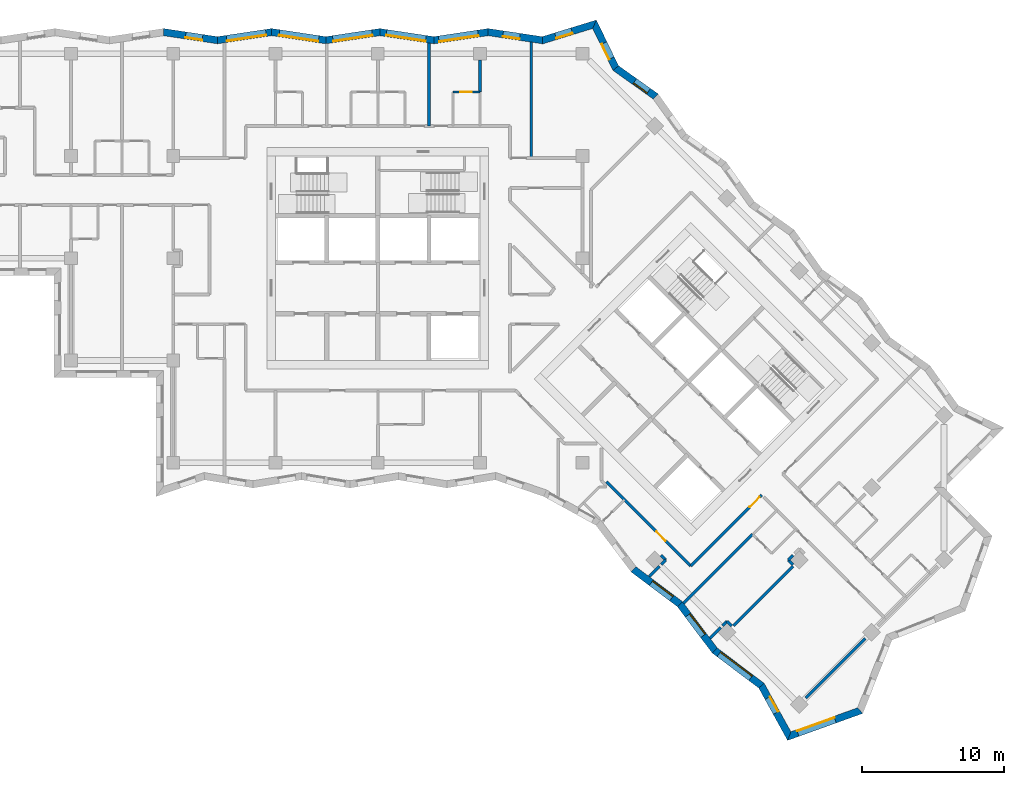
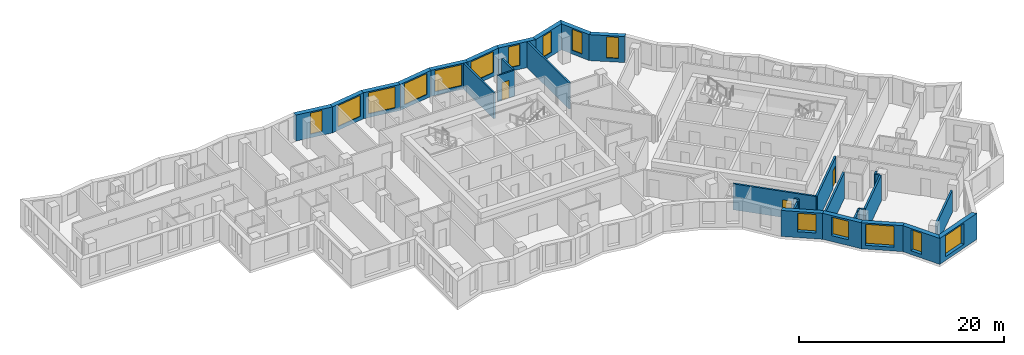
# One storey, part 7 of 12: 32 walls, 15 windows, 3 doors, 18 openings.
"""IFC4 building model written with IfcOpenShell, lengths in metres."""

import ifcopenshell
import ifcopenshell.guid

model = None  # the IFC model being written
_history = None  # IfcOwnerHistory: only IFC2X3 demands one
_inside = {}  # id of a spatial element -> (the spatial element, [elements in it])
_under = {}  # id of a project, library or spatial element -> (it, [spatial elements below it])
_declared = {}  # id of a project -> (the project, [libraries it declares])
_typed = {}  # id of a type object -> (the type object, [elements of that type])
_made_of = {}  # id of a material, layer set ... -> (it, [elements and type objects made of it])


def new_model(schema):
    """Start an empty IFC model of exactly this schema.

    Asked for "IFC4X3", IfcOpenShell would pick the latest addendum, in which some entities
    have other attributes; the version numbers below select the first issue.
    IFC2X3 requires an IfcOwnerHistory on every rooted entity: one is made here for all.
    """
    global model, _history
    if schema == "IFC4X3":
        model = ifcopenshell.file(schema_version=(4, 3, 0, 0))
    else:
        model = ifcopenshell.file(schema=schema)
    _inside.clear()
    _under.clear()
    _declared.clear()
    _typed.clear()
    _made_of.clear()
    _history = None
    if model.schema == "IFC2X3":
        org = make("IfcOrganization", Name="unknown")
        user = make(
            "IfcPersonAndOrganization",
            ThePerson=make("IfcPerson", FamilyName="unknown"),
            TheOrganization=org,
        )
        app = make(
            "IfcApplication",
            ApplicationDeveloper=org,
            Version="unknown",
            ApplicationFullName="unknown",
            ApplicationIdentifier="unknown",
        )
        _history = make(
            "IfcOwnerHistory",
            OwningUser=user,
            OwningApplication=app,
            ChangeAction="ADDED",
            CreationDate=0,
        )
    return model


def make(cls, **values):
    """One entity of the class cls with the attributes given. An attribute that is None is left unset."""
    return model.create_entity(
        cls, **{name: value for name, value in values.items() if value is not None}
    )


def rooted(cls, **values):
    """An entity with a GlobalId (a new one), such as an element, a storey or a relation."""
    return make(cls, GlobalId=ifcopenshell.guid.new(), OwnerHistory=_history, **values)


def si_unit(unit_type, name, prefix=None):
    """IfcSIUnit, for example si_unit("LENGTHUNIT", "METRE", prefix="MILLI")."""
    return make("IfcSIUnit", UnitType=unit_type, Prefix=prefix, Name=name)


def assignment(units):
    """IfcUnitAssignment: the units of a project."""
    return None if units is None else make("IfcUnitAssignment", Units=units)


def point(xyz):
    """IfcCartesianPoint."""
    return None if xyz is None else make("IfcCartesianPoint", Coordinates=xyz)


def direction(xyz):
    """IfcDirection."""
    return None if xyz is None else make("IfcDirection", DirectionRatios=xyz)


def frame(location, z_axis=None, x_axis=None):
    """IfcAxis2Placement3D, a coordinate frame: its origin and axes. An axis left out is left unset."""
    return make(
        "IfcAxis2Placement3D",
        Location=point(location),
        Axis=direction(z_axis),
        RefDirection=direction(x_axis),
    )


def frame_2d(location, x_axis=None):
    """IfcAxis2Placement2D, a coordinate frame in the plane: its origin and x axis."""
    return make(
        "IfcAxis2Placement2D", Location=point(location), RefDirection=direction(x_axis)
    )


def origin():
    """The frame at (0, 0, 0) with its axes left unset."""
    return frame((0.0, 0.0, 0.0))


def place(relative_to, where):
    """IfcLocalPlacement: puts the frame where relative to a parent placement (None: the world)."""
    return make(
        "IfcLocalPlacement", PlacementRelTo=relative_to, RelativePlacement=where
    )


def context(
    kind, dimensions, precision=None, world=None, true_north=None, identifier=None
):
    """IfcGeometricRepresentationContext, for example the 3D "Model" context."""
    return make(
        "IfcGeometricRepresentationContext",
        ContextIdentifier=identifier,
        ContextType=kind,
        CoordinateSpaceDimension=dimensions,
        Precision=precision,
        WorldCoordinateSystem=world,
        TrueNorth=true_north,
    )


def subcontext(parent, identifier, kind, view, scale=None):
    """IfcGeometricRepresentationSubContext, for example "Body" below "Model"."""
    return make(
        "IfcGeometricRepresentationSubContext",
        ContextIdentifier=identifier,
        ContextType=kind,
        ParentContext=parent,
        TargetScale=scale,
        TargetView=view,
    )


def project(units=None, contexts=None):
    """IfcProject with its units and contexts."""
    return rooted(
        "IfcProject",
        Name="project",
        RepresentationContexts=contexts,
        UnitsInContext=assignment(units),
    )


def spatial(cls, under=None, at=None, **own):
    """A site, building, storey or space (cls), placed at a placement, below another one or the project."""
    s = rooted(cls, ObjectPlacement=at, **own)
    if under is not None:
        _under.setdefault(under.id(), (under, []))[1].append(s)
    return s


def polyline(points):
    """IfcPolyline through the points."""
    return make("IfcPolyline", Points=[point(p) for p in points])


def profile(cls, at=None, kind="AREA", **sizes):
    """A parametric profile (cls). Its sizes go by their IFC names, for example OverallWidth=200.0."""
    return make(cls, ProfileType=kind, Position=at, **sizes)


def rectangle(**sizes):
    """IfcRectangleProfileDef."""
    return profile("IfcRectangleProfileDef", **sizes)


def outline(outer, holes=None, kind="AREA"):
    """IfcArbitraryClosedProfileDef: a profile drawn as a closed curve; with holes, ...WithVoids."""
    if holes is None:
        return make("IfcArbitraryClosedProfileDef", ProfileType=kind, OuterCurve=outer)
    return make(
        "IfcArbitraryProfileDefWithVoids",
        ProfileType=kind,
        OuterCurve=outer,
        InnerCurves=holes,
    )


def extrude(swept, where, along, depth):
    """IfcExtrudedAreaSolid: the profile swept, set in the frame where, extruded along a direction by depth."""
    return make(
        "IfcExtrudedAreaSolid",
        SweptArea=swept,
        Position=where,
        ExtrudedDirection=direction(along),
        Depth=depth,
    )


def shape(context_of_items, identifier, shape_type, items):
    """IfcShapeRepresentation: the items that make up one representation, for example the "Body"."""
    return make(
        "IfcShapeRepresentation",
        ContextOfItems=context_of_items,
        RepresentationIdentifier=identifier,
        RepresentationType=shape_type,
        Items=items,
    )


def material(Name=None, Category=None):
    """IfcMaterial."""
    return make("IfcMaterial", Name=Name, Category=Category)


def layer(
    of_material, thickness, ventilated=None, Name=None, Category=None, Priority=None
):
    """IfcMaterialLayer: one layer of a wall or slab, of a material (None: an air gap)."""
    return make(
        "IfcMaterialLayer",
        Material=of_material,
        LayerThickness=thickness,
        IsVentilated=ventilated,
        Name=Name,
        Category=Category,
        Priority=Priority,
    )


def layer_set(layers, Name=None):
    """IfcMaterialLayerSet."""
    return make("IfcMaterialLayerSet", MaterialLayers=layers, LayerSetName=Name)


def made_of(thing, what):
    """Note that an element or type object is made of a material, layer set ...; save() writes the relation."""
    if what is not None:
        _made_of.setdefault(what.id(), (what, []))[1].append(thing)
    return thing


def type_object(cls, material=None, **own):
    """A type object (cls), such as IfcWallType, which elements share."""
    return made_of(rooted(cls, **own), material)


def element(
    cls,
    number,
    at=None,
    inside=None,
    cuts=None,
    type_object=None,
    material=None,
    context=None,
    identifier="Body",
    shape_type=None,
    held_by="IfcProductDefinitionShape",
    body=None,
    shapes=None,
    **own,
):
    """One element of the class cls, such as IfcWall. Its Tag is "e" and its number.

    at: its placement. inside: the storey or other place that contains it. cuts: it is an
    opening in that element (IfcRelVoidsElement). A single representation is given by context,
    identifier, shape_type and body (its items); several are given by shapes. held_by: the class
    of the entity that holds the representations. save() writes the other relations.
    """
    e = rooted(cls, Tag="e%d" % number, ObjectPlacement=at, **own)
    if body is not None:
        shapes = [shape(context, identifier, shape_type, body)]
    if shapes is not None:
        e.Representation = make(held_by, Representations=shapes)
    if inside is not None:
        _inside.setdefault(inside.id(), (inside, []))[1].append(e)
    if cuts is not None:
        rooted(
            "IfcRelVoidsElement", RelatingBuildingElement=cuts, RelatedOpeningElement=e
        )
    if type_object is not None:
        _typed.setdefault(type_object.id(), (type_object, []))[1].append(e)
    return made_of(e, material)


def fill(opening, filler):
    """IfcRelFillsElement: the door or window that sits in an opening."""
    return rooted(
        "IfcRelFillsElement",
        RelatingOpeningElement=opening,
        RelatedBuildingElement=filler,
    )


def aggregate(whole, parts):
    """IfcRelAggregates: a whole, such as a stair, and the parts it consists of."""
    return rooted("IfcRelAggregates", RelatingObject=whole, RelatedObjects=parts)


def save(model, path):
    """Write the relations noted so far, then the file.

    IfcRelAggregates (storeys below a building ...), IfcRelContainedInSpatialStructure (elements
    in a storey), IfcRelDefinesByType, IfcRelAssociatesMaterial and IfcRelDeclares: one each for
    every whole, place, type object, material and project.
    """
    for whole, parts in _under.values():
        aggregate(whole, parts)
    for where, things in _inside.values():
        rooted(
            "IfcRelContainedInSpatialStructure",
            RelatedElements=things,
            RelatingStructure=where,
        )
    for kind, things in _typed.values():
        rooted("IfcRelDefinesByType", RelatedObjects=things, RelatingType=kind)
    for what, things in _made_of.values():
        rooted("IfcRelAssociatesMaterial", RelatedObjects=things, RelatingMaterial=what)
    for by, libraries in _declared.values():
        rooted("IfcRelDeclares", RelatingContext=by, RelatedDefinitions=libraries)
    model.write(path)


model = new_model("IFC4")

# Units and contexts
model_context = context("Model", 3, precision=1e-05, world=origin(), true_north=direction((0.0, 1.0)))
body_context = subcontext(model_context, "Body", "Model", "MODEL_VIEW")
ifc_project = project(units=[si_unit("LENGTHUNIT", "METRE"), si_unit("AREAUNIT", "SQUARE_METRE"), si_unit("VOLUMEUNIT", "CUBIC_METRE"), si_unit("PLANEANGLEUNIT", "RADIAN"), si_unit("MASSUNIT", "GRAM", prefix="KILO")], contexts=[model_context])

# Site, building, storey
site_placement = place(None, origin())
site = spatial("IfcSite", under=ifc_project, at=site_placement, CompositionType="ELEMENT")
building_placement = place(site_placement, origin())
building = spatial("IfcBuilding", under=site, at=building_placement, Name="Windrow Commons", CompositionType="ELEMENT")
storey_placement = place(building_placement, frame((0.0, 0.0, 166.0)))
storey = spatial("IfcBuildingStorey", under=building, at=storey_placement, Name="L45", CompositionType="ELEMENT", Elevation=166.0)

# Wall, opening, window
ifc_material_1 = material(Name="Brick masonry, red clay brick", Category="masonry")
ifc_layer_1 = layer(ifc_material_1, 0.5)
ifc_layer_set_1 = layer_set([ifc_layer_1], Name="Brick facade wall 500")
wall_type_1 = type_object("IfcWallType", Name="Brick facade wall 500", PredefinedType="SOLIDWALL", material=ifc_layer_set_1)
wall_1_placement = place(storey_placement, frame((93.7609, 23.961, 0.0), z_axis=(0.0, 0.0, 1.0), x_axis=(0.9410639337, 0.3382287283, 0.0)))
wall_1 = element("IfcWall", 1, at=wall_1_placement, inside=storey, type_object=wall_type_1, Name="Brick facade wall L45 1", PredefinedType="SOLIDWALL", context=body_context, shape_type="SweptSolid", body=[
    extrude(outline(polyline([(-0.2132, -0.25), (5.417, -0.25), (5.1912, 0.25), (0.2132, 0.25), (-0.2132, -0.25)])), origin(), (0.0, 0.0, 1.0), 3.1),
])
opening_1_placement = place(wall_1_placement, frame((0.6339, 0.0, 0.45)))
opening_1 = element("IfcOpeningElement", 2, at=opening_1_placement, cuts=wall_1, Name="Opening W1U", PredefinedType="OPENING", context=body_context, shape_type="SweptSolid", body=[
    extrude(rectangle(XDim=2.8, YDim=2.5, at=frame_2d((1.4, 1.25))), frame((0.0, 0.26, 0.0), z_axis=(0.0, -1.0, 0.0), x_axis=(1.0, 0.0, 0.0)), (0.0, 0.0, 1.0), 0.52),
])
ifc_material_2 = material(Name="Clear float glass in anodised aluminium frame", Category="aluminium")
window_type_1 = type_object("IfcWindowType", Name="Window W1U bedroom 2800x2500", PartitioningType="SINGLE_PANEL", PredefinedType="WINDOW", material=ifc_material_2)
window_1_placement = place(opening_1_placement, origin())
window_1 = element("IfcWindow", 3, at=window_1_placement, inside=storey, type_object=window_type_1, Name="Window L45 1.1", OverallHeight=2.5, OverallWidth=2.8, PartitioningType="SINGLE_PANEL", PredefinedType="WINDOW", context=body_context, shape_type="SweptSolid", body=[
    extrude(rectangle(XDim=2.8, YDim=2.5, at=frame_2d((1.4, 1.25))), frame((0.0, 0.18, 0.0), z_axis=(0.0, -1.0, 0.0), x_axis=(1.0, 0.0, 0.0)), (0.0, 0.0, 1.0), 0.06),
])
fill(opening_1, window_1)

wall_2_placement = place(storey_placement, frame((84.3617, 68.9858, 0.0), z_axis=(0.0, 0.0, 1.0), x_axis=(-0.8151346874, 0.5792714747, 0.0)))
wall_2 = element("IfcWall", 4, at=wall_2_placement, inside=storey, type_object=wall_type_1, Name="Brick facade wall L45 17", PredefinedType="SOLIDWALL", context=body_context, shape_type="SweptSolid", body=[
    extrude(outline(polyline([(-0.0423, -0.25), (3.3876, -0.25), (3.5156, 0.25), (0.0423, 0.25), (-0.0423, -0.25)])), origin(), (0.0, 0.0, 1.0), 3.1),
])
opening_2_placement = place(wall_2_placement, frame((0.6273, 0.0, 0.45)))
opening_2 = element("IfcOpeningElement", 5, at=opening_2_placement, cuts=wall_2, Name="Opening W7E", PredefinedType="OPENING", context=body_context, shape_type="SweptSolid", body=[
    extrude(rectangle(XDim=1.2, YDim=2.5, at=frame_2d((0.6, 1.25))), frame((0.0, 0.26, 0.0), z_axis=(0.0, -1.0, 0.0), x_axis=(1.0, 0.0, 0.0)), (0.0, 0.0, 1.0), 0.52),
])
ifc_material_3 = material(Name="Clear float glass in anodised aluminium frame", Category="aluminium")
window_type_2 = type_object("IfcWindowType", Name="Window W7 notch 1200x2500", PartitioningType="SINGLE_PANEL", PredefinedType="WINDOW", material=ifc_material_3)
window_2_placement = place(opening_2_placement, origin())
window_2 = element("IfcWindow", 6, at=window_2_placement, inside=storey, type_object=window_type_2, Name="Window L45 17.1", OverallHeight=2.5, OverallWidth=1.2, PartitioningType="SINGLE_PANEL", PredefinedType="WINDOW", context=body_context, shape_type="SweptSolid", body=[
    extrude(rectangle(XDim=1.2, YDim=2.5, at=frame_2d((0.6, 1.25))), frame((0.0, 0.18, 0.0), z_axis=(0.0, -1.0, 0.0), x_axis=(1.0, 0.0, 0.0)), (0.0, 0.0, 1.0), 0.06),
])
fill(opening_2, window_2)

wall_3_placement = place(storey_placement, frame((81.5482, 70.9852, 0.0), z_axis=(0.0, 0.0, 1.0), x_axis=(-0.4365897552, 0.8996607059, 0.0)))
wall_3 = element("IfcWall", 7, at=wall_3_placement, inside=storey, type_object=wall_type_1, Name="Brick facade wall L45 18", PredefinedType="SOLIDWALL", context=body_context, shape_type="SweptSolid", body=[
    extrude(outline(polyline([(0.064, -0.25), (3.6432, -0.25), (3.2145, 0.25), (-0.064, 0.25), (0.064, -0.25)])), origin(), (0.0, 0.0, 1.0), 3.1),
])
opening_3_placement = place(wall_3_placement, frame((0.7584, 0.0, 0.45)))
opening_3 = element("IfcOpeningElement", 8, at=opening_3_placement, cuts=wall_3, Name="Opening W7E", PredefinedType="OPENING", context=body_context, shape_type="SweptSolid", body=[
    extrude(rectangle(XDim=1.2, YDim=2.5, at=frame_2d((0.6, 1.25))), frame((0.0, 0.26, 0.0), z_axis=(0.0, -1.0, 0.0), x_axis=(1.0, 0.0, 0.0)), (0.0, 0.0, 1.0), 0.52),
])
window_3_placement = place(opening_3_placement, origin())
window_3 = element("IfcWindow", 9, at=window_3_placement, inside=storey, type_object=window_type_2, Name="Window L45 18.1", OverallHeight=2.5, OverallWidth=1.2, PartitioningType="SINGLE_PANEL", PredefinedType="WINDOW", context=body_context, shape_type="SweptSolid", body=[
    extrude(rectangle(XDim=1.2, YDim=2.5, at=frame_2d((0.6, 1.25))), frame((0.0, 0.18, 0.0), z_axis=(0.0, -1.0, 0.0), x_axis=(1.0, 0.0, 0.0)), (0.0, 0.0, 1.0), 0.06),
])
fill(opening_3, window_3)

wall_4_placement = place(storey_placement, frame((80.0512, 74.07, 0.0), z_axis=(0.0, 0.0, 1.0), x_axis=(-0.955794256, -0.2940362905, 0.0)))
wall_4 = element("IfcWall", 10, at=wall_4_placement, inside=storey, type_object=wall_type_1, Name="Brick facade wall L45 19", PredefinedType="SOLIDWALL", context=body_context, shape_type="SweptSolid", body=[
    extrude(outline(polyline([(-0.2143, -0.25), (3.7715, -0.25), (3.8853, 0.25), (0.2143, 0.25), (-0.2143, -0.25)])), origin(), (0.0, 0.0, 1.0), 3.1),
])
opening_4_placement = place(wall_4_placement, frame((1.6595, 0.0, 0.45)))
opening_4 = element("IfcOpeningElement", 11, at=opening_4_placement, cuts=wall_4, Name="Opening W7E", PredefinedType="OPENING", context=body_context, shape_type="SweptSolid", body=[
    extrude(rectangle(XDim=1.2, YDim=2.5, at=frame_2d((0.6, 1.25))), frame((0.0, 0.26, 0.0), z_axis=(0.0, -1.0, 0.0), x_axis=(1.0, 0.0, 0.0)), (0.0, 0.0, 1.0), 0.52),
])
window_4_placement = place(opening_4_placement, origin())
window_4 = element("IfcWindow", 12, at=window_4_placement, inside=storey, type_object=window_type_2, Name="Window L45 19.1", OverallHeight=2.5, OverallWidth=1.2, PartitioningType="SINGLE_PANEL", PredefinedType="WINDOW", context=body_context, shape_type="SweptSolid", body=[
    extrude(rectangle(XDim=1.2, YDim=2.5, at=frame_2d((0.6, 1.25))), frame((0.0, 0.18, 0.0), z_axis=(0.0, -1.0, 0.0), x_axis=(1.0, 0.0, 0.0)), (0.0, 0.0, 1.0), 0.06),
])
fill(opening_4, window_4)

wall_5_placement = place(storey_placement, frame((76.392, 72.9443, 0.0), z_axis=(0.0, 0.0, 1.0), x_axis=(-0.9889143658, 0.1484869591, 0.0)))
wall_5 = element("IfcWall", 13, at=wall_5_placement, inside=storey, type_object=wall_type_1, Name="Brick facade wall L45 20", PredefinedType="SOLIDWALL", context=body_context, shape_type="SweptSolid", body=[
    extrude(outline(polyline([(0.0569, -0.25), (3.9092, -0.25), (3.8342, 0.25), (-0.0569, 0.25), (0.0569, -0.25)])), origin(), (0.0, 0.0, 1.0), 3.1),
])
opening_5_placement = place(wall_5_placement, frame((1.6175, 0.0, 0.45)))
opening_5 = element("IfcOpeningElement", 14, at=opening_5_placement, cuts=wall_5, Name="Opening W7E", PredefinedType="OPENING", context=body_context, shape_type="SweptSolid", body=[
    extrude(rectangle(XDim=1.2, YDim=2.5, at=frame_2d((0.6, 1.25))), frame((0.0, 0.26, 0.0), z_axis=(0.0, -1.0, 0.0), x_axis=(1.0, 0.0, 0.0)), (0.0, 0.0, 1.0), 0.52),
])
window_5_placement = place(opening_5_placement, origin())
window_5 = element("IfcWindow", 15, at=window_5_placement, inside=storey, type_object=window_type_2, Name="Window L45 20.1", OverallHeight=2.5, OverallWidth=1.2, PartitioningType="SINGLE_PANEL", PredefinedType="WINDOW", context=body_context, shape_type="SweptSolid", body=[
    extrude(rectangle(XDim=1.2, YDim=2.5, at=frame_2d((0.6, 1.25))), frame((0.0, 0.18, 0.0), z_axis=(0.0, -1.0, 0.0), x_axis=(1.0, 0.0, 0.0)), (0.0, 0.0, 1.0), 0.06),
])
fill(opening_5, window_5)

wall_6_placement = place(storey_placement, frame((72.5632, 73.5192, 0.0), z_axis=(0.0, 0.0, 1.0), x_axis=(-0.9889150173, -0.1484826202, 0.0)))
wall_6 = element("IfcWall", 16, at=wall_6_placement, inside=storey, type_object=wall_type_1, Name="Brick facade wall L45 21", PredefinedType="SOLIDWALL", context=body_context, shape_type="SweptSolid", body=[
    extrude(outline(polyline([(-0.0375, -0.25), (3.8148, -0.25), (3.8899, 0.25), (0.0375, 0.25), (-0.0375, -0.25)])), origin(), (0.0, 0.0, 1.0), 3.1),
])
opening_6_placement = place(wall_6_placement, frame((0.711, 0.0, 0.45)))
opening_6 = element("IfcOpeningElement", 17, at=opening_6_placement, cuts=wall_6, Name="Opening W1U", PredefinedType="OPENING", context=body_context, shape_type="SweptSolid", body=[
    extrude(rectangle(XDim=2.8, YDim=2.5, at=frame_2d((1.4, 1.25))), frame((0.0, 0.26, 0.0), z_axis=(0.0, -1.0, 0.0), x_axis=(1.0, 0.0, 0.0)), (0.0, 0.0, 1.0), 0.52),
])
window_6_placement = place(opening_6_placement, origin())
window_6 = element("IfcWindow", 18, at=window_6_placement, inside=storey, type_object=window_type_1, Name="Window L45 21.1", OverallHeight=2.5, OverallWidth=2.8, PartitioningType="SINGLE_PANEL", PredefinedType="WINDOW", context=body_context, shape_type="SweptSolid", body=[
    extrude(rectangle(XDim=2.8, YDim=2.5, at=frame_2d((1.4, 1.25))), frame((0.0, 0.18, 0.0), z_axis=(0.0, -1.0, 0.0), x_axis=(1.0, 0.0, 0.0)), (0.0, 0.0, 1.0), 0.06),
])
fill(opening_6, window_6)

wall_7_placement = place(storey_placement, frame((68.7536, 72.9472, 0.0), z_axis=(0.0, 0.0, 1.0), x_axis=(-0.9889155896, 0.1484788086, 0.0)))
wall_7 = element("IfcWall", 19, at=wall_7_placement, inside=storey, type_object=wall_type_1, Name="Brick facade wall L45 22", PredefinedType="SOLIDWALL", context=body_context, shape_type="SweptSolid", body=[
    extrude(outline(polyline([(0.0375, -0.25), (3.8899, -0.25), (3.8148, 0.25), (-0.0375, 0.25), (0.0375, -0.25)])), origin(), (0.0, 0.0, 1.0), 3.1),
])
opening_7_placement = place(wall_7_placement, frame((0.5862, 0.0, 0.45)))
opening_7 = element("IfcOpeningElement", 20, at=opening_7_placement, cuts=wall_7, Name="Opening W1U", PredefinedType="OPENING", context=body_context, shape_type="SweptSolid", body=[
    extrude(rectangle(XDim=2.8, YDim=2.5, at=frame_2d((1.4, 1.25))), frame((0.0, 0.26, 0.0), z_axis=(0.0, -1.0, 0.0), x_axis=(1.0, 0.0, 0.0)), (0.0, 0.0, 1.0), 0.52),
])
window_7_placement = place(opening_7_placement, origin())
window_7 = element("IfcWindow", 21, at=window_7_placement, inside=storey, type_object=window_type_1, Name="Window L45 22.1", OverallHeight=2.5, OverallWidth=2.8, PartitioningType="SINGLE_PANEL", PredefinedType="WINDOW", context=body_context, shape_type="SweptSolid", body=[
    extrude(rectangle(XDim=2.8, YDim=2.5, at=frame_2d((1.4, 1.25))), frame((0.0, 0.18, 0.0), z_axis=(0.0, -1.0, 0.0), x_axis=(1.0, 0.0, 0.0)), (0.0, 0.0, 1.0), 0.06),
])
fill(opening_7, window_7)

wall_8_placement = place(storey_placement, frame((64.9439, 73.5192, 0.0), z_axis=(0.0, 0.0, 1.0), x_axis=(-0.9889150173, -0.1484826202, 0.0)))
wall_8 = element("IfcWall", 22, at=wall_8_placement, inside=storey, type_object=wall_type_1, Name="Brick facade wall L45 23", PredefinedType="SOLIDWALL", context=body_context, shape_type="SweptSolid", body=[
    extrude(outline(polyline([(-0.0375, -0.25), (3.8148, -0.25), (3.8899, 0.25), (0.0375, 0.25), (-0.0375, -0.25)])), origin(), (0.0, 0.0, 1.0), 3.1),
])
opening_8_placement = place(wall_8_placement, frame((0.5449, 0.0, 0.45)))
opening_8 = element("IfcOpeningElement", 23, at=opening_8_placement, cuts=wall_8, Name="Opening W1U", PredefinedType="OPENING", context=body_context, shape_type="SweptSolid", body=[
    extrude(rectangle(XDim=2.8, YDim=2.5, at=frame_2d((1.4, 1.25))), frame((0.0, 0.26, 0.0), z_axis=(0.0, -1.0, 0.0), x_axis=(1.0, 0.0, 0.0)), (0.0, 0.0, 1.0), 0.52),
])
window_8_placement = place(opening_8_placement, origin())
window_8 = element("IfcWindow", 24, at=window_8_placement, inside=storey, type_object=window_type_1, Name="Window L45 23.1", OverallHeight=2.5, OverallWidth=2.8, PartitioningType="SINGLE_PANEL", PredefinedType="WINDOW", context=body_context, shape_type="SweptSolid", body=[
    extrude(rectangle(XDim=2.8, YDim=2.5, at=frame_2d((1.4, 1.25))), frame((0.0, 0.18, 0.0), z_axis=(0.0, -1.0, 0.0), x_axis=(1.0, 0.0, 0.0)), (0.0, 0.0, 1.0), 0.06),
])
fill(opening_8, window_8)

wall_9_placement = place(storey_placement, frame((61.1343, 72.9472, 0.0), z_axis=(0.0, 0.0, 1.0), x_axis=(-0.9889155896, 0.1484788086, 0.0)))
wall_9 = element("IfcWall", 25, at=wall_9_placement, inside=storey, type_object=wall_type_1, Name="Brick facade wall L45 24", PredefinedType="SOLIDWALL", context=body_context, shape_type="SweptSolid", body=[
    extrude(outline(polyline([(0.0375, -0.25), (3.8899, -0.25), (3.8148, 0.25), (-0.0375, 0.25), (0.0375, -0.25)])), origin(), (0.0, 0.0, 1.0), 3.1),
])
opening_9_placement = place(wall_9_placement, frame((0.5074, 0.0, 0.45)))
opening_9 = element("IfcOpeningElement", 26, at=opening_9_placement, cuts=wall_9, Name="Opening W1U", PredefinedType="OPENING", context=body_context, shape_type="SweptSolid", body=[
    extrude(rectangle(XDim=2.8, YDim=2.5, at=frame_2d((1.4, 1.25))), frame((0.0, 0.26, 0.0), z_axis=(0.0, -1.0, 0.0), x_axis=(1.0, 0.0, 0.0)), (0.0, 0.0, 1.0), 0.52),
])
window_9_placement = place(opening_9_placement, origin())
window_9 = element("IfcWindow", 27, at=window_9_placement, inside=storey, type_object=window_type_1, Name="Window L45 24.1", OverallHeight=2.5, OverallWidth=2.8, PartitioningType="SINGLE_PANEL", PredefinedType="WINDOW", context=body_context, shape_type="SweptSolid", body=[
    extrude(rectangle(XDim=2.8, YDim=2.5, at=frame_2d((1.4, 1.25))), frame((0.0, 0.18, 0.0), z_axis=(0.0, -1.0, 0.0), x_axis=(1.0, 0.0, 0.0)), (0.0, 0.0, 1.0), 0.06),
])
fill(opening_9, window_9)

wall_10_placement = place(storey_placement, frame((57.3246, 73.5192, 0.0), z_axis=(0.0, 0.0, 1.0), x_axis=(-0.9889155896, -0.1484788086, 0.0)))
wall_10 = element("IfcWall", 28, at=wall_10_placement, inside=storey, type_object=wall_type_1, Name="Brick facade wall L45 25", PredefinedType="SOLIDWALL", context=body_context, shape_type="SweptSolid", body=[
    extrude(outline(polyline([(-0.0375, -0.25), (3.8148, -0.25), (3.8899, 0.25), (0.0375, 0.25), (-0.0375, -0.25)])), origin(), (0.0, 0.0, 1.0), 3.1),
])
opening_10_placement = place(wall_10_placement, frame((0.3997, 0.0, 0.45)))
opening_10 = element("IfcOpeningElement", 29, at=opening_10_placement, cuts=wall_10, Name="Opening W1U", PredefinedType="OPENING", context=body_context, shape_type="SweptSolid", body=[
    extrude(rectangle(XDim=2.8, YDim=2.5, at=frame_2d((1.4, 1.25))), frame((0.0, 0.26, 0.0), z_axis=(0.0, -1.0, 0.0), x_axis=(1.0, 0.0, 0.0)), (0.0, 0.0, 1.0), 0.52),
])
window_10_placement = place(opening_10_placement, origin())
window_10 = element("IfcWindow", 30, at=window_10_placement, inside=storey, type_object=window_type_1, Name="Window L45 25.1", OverallHeight=2.5, OverallWidth=2.8, PartitioningType="SINGLE_PANEL", PredefinedType="WINDOW", context=body_context, shape_type="SweptSolid", body=[
    extrude(rectangle(XDim=2.8, YDim=2.5, at=frame_2d((1.4, 1.25))), frame((0.0, 0.18, 0.0), z_axis=(0.0, -1.0, 0.0), x_axis=(1.0, 0.0, 0.0)), (0.0, 0.0, 1.0), 0.06),
])
fill(opening_10, window_10)

wall_11_placement = place(storey_placement, frame((53.5149, 72.9472, 0.0), z_axis=(0.0, 0.0, 1.0), x_axis=(-0.9889150173, 0.1484826202, 0.0)))
wall_11 = element("IfcWall", 31, at=wall_11_placement, inside=storey, type_object=wall_type_1, Name="Brick facade wall L45 26", PredefinedType="SOLIDWALL", context=body_context, shape_type="SweptSolid", body=[
    extrude(outline(polyline([(0.0375, -0.25), (3.8899, -0.25), (3.8148, 0.25), (-0.0375, 0.25), (0.0375, -0.25)])), origin(), (0.0, 0.0, 1.0), 3.1),
])
opening_11_placement = place(wall_11_placement, frame((1.0749, 0.0, 0.45)))
opening_11 = element("IfcOpeningElement", 32, at=opening_11_placement, cuts=wall_11, Name="Opening W7E", PredefinedType="OPENING", context=body_context, shape_type="SweptSolid", body=[
    extrude(rectangle(XDim=1.2, YDim=2.5, at=frame_2d((0.6, 1.25))), frame((0.0, 0.26, 0.0), z_axis=(0.0, -1.0, 0.0), x_axis=(1.0, 0.0, 0.0)), (0.0, 0.0, 1.0), 0.52),
])
window_11_placement = place(opening_11_placement, origin())
window_11 = element("IfcWindow", 33, at=window_11_placement, inside=storey, type_object=window_type_2, Name="Window L45 26.1", OverallHeight=2.5, OverallWidth=1.2, PartitioningType="SINGLE_PANEL", PredefinedType="WINDOW", context=body_context, shape_type="SweptSolid", body=[
    extrude(rectangle(XDim=1.2, YDim=2.5, at=frame_2d((0.6, 1.25))), frame((0.0, 0.18, 0.0), z_axis=(0.0, -1.0, 0.0), x_axis=(1.0, 0.0, 0.0)), (0.0, 0.0, 1.0), 0.06),
])
fill(opening_11, window_11)

wall_12_placement = place(storey_placement, frame((82.798, 35.706, 0.0), z_axis=(0.0, 0.0, 1.0), x_axis=(0.7990920997, -0.6012086295, 0.0)))
wall_12 = element("IfcWall", 34, at=wall_12_placement, inside=storey, type_object=wall_type_1, Name="Brick facade wall L45 52", PredefinedType="SOLIDWALL", context=body_context, shape_type="SweptSolid", body=[
    extrude(outline(polyline([(-0.0353, -0.25), (4.0529, -0.25), (4.1236, 0.25), (0.0353, 0.25), (-0.0353, -0.25)])), origin(), (0.0, 0.0, 1.0), 3.1),
])
opening_12_placement = place(wall_12_placement, frame((1.5688, 0.0, 0.7)))
opening_12 = element("IfcOpeningElement", 35, at=opening_12_placement, cuts=wall_12, Name="Opening W6", PredefinedType="OPENING", context=body_context, shape_type="SweptSolid", body=[
    extrude(rectangle(XDim=1.8, YDim=2.2, at=frame_2d((0.9, 1.1))), frame((0.0, 0.26, 0.0), z_axis=(0.0, -1.0, 0.0), x_axis=(1.0, 0.0, 0.0)), (0.0, 0.0, 1.0), 0.52),
])
ifc_material_4 = material(Name="Clear float glass in anodised aluminium frame", Category="aluminium")
window_type_3 = type_object("IfcWindowType", Name="Window W6 crown 1800x2200", PartitioningType="SINGLE_PANEL", PredefinedType="WINDOW", material=ifc_material_4)
window_12_placement = place(opening_12_placement, origin())
window_12 = element("IfcWindow", 36, at=window_12_placement, inside=storey, type_object=window_type_3, Name="Window L45 52.1A", OverallHeight=2.2, OverallWidth=1.8, PartitioningType="SINGLE_PANEL", PredefinedType="WINDOW", context=body_context, shape_type="SweptSolid", body=[
    extrude(rectangle(XDim=1.8, YDim=2.2, at=frame_2d((0.9, 1.1))), frame((0.0, 0.18, 0.0), z_axis=(0.0, -1.0, 0.0), x_axis=(1.0, 0.0, 0.0)), (0.0, 0.0, 1.0), 0.06),
])
fill(opening_12, window_12)

wall_13_placement = place(storey_placement, frame((86.0649, 33.2481, 0.0), z_axis=(0.0, 0.0, 1.0), x_axis=(0.6012086295, -0.7990920997, 0.0)))
wall_13 = element("IfcWall", 37, at=wall_13_placement, inside=storey, type_object=wall_type_1, Name="Brick facade wall L45 53", PredefinedType="SOLIDWALL", context=body_context, shape_type="SweptSolid", body=[
    extrude(outline(polyline([(0.0353, -0.25), (4.1236, -0.25), (4.0529, 0.25), (-0.0353, 0.25), (0.0353, -0.25)])), origin(), (0.0, 0.0, 1.0), 3.1),
])
opening_13_placement = place(wall_13_placement, frame((0.9579, 0.0, 0.7)))
opening_13 = element("IfcOpeningElement", 38, at=opening_13_placement, cuts=wall_13, Name="Opening W6", PredefinedType="OPENING", context=body_context, shape_type="SweptSolid", body=[
    extrude(rectangle(XDim=1.8, YDim=2.2, at=frame_2d((0.9, 1.1))), frame((0.0, 0.26, 0.0), z_axis=(0.0, -1.0, 0.0), x_axis=(1.0, 0.0, 0.0)), (0.0, 0.0, 1.0), 0.52),
])
window_13_placement = place(opening_13_placement, origin())
window_13 = element("IfcWindow", 39, at=window_13_placement, inside=storey, type_object=window_type_3, Name="Window L45 53.1A", OverallHeight=2.2, OverallWidth=1.8, PartitioningType="SINGLE_PANEL", PredefinedType="WINDOW", context=body_context, shape_type="SweptSolid", body=[
    extrude(rectangle(XDim=1.8, YDim=2.2, at=frame_2d((0.9, 1.1))), frame((0.0, 0.18, 0.0), z_axis=(0.0, -1.0, 0.0), x_axis=(1.0, 0.0, 0.0)), (0.0, 0.0, 1.0), 0.06),
])
fill(opening_13, window_13)

wall_14_placement = place(storey_placement, frame((88.5228, 29.9812, 0.0), z_axis=(0.0, 0.0, 1.0), x_axis=(0.7990931862, -0.6012071854, 0.0)))
wall_14 = element("IfcWall", 40, at=wall_14_placement, inside=storey, type_object=wall_type_1, Name="Brick facade wall L45 54", PredefinedType="SOLIDWALL", context=body_context, shape_type="SweptSolid", body=[
    extrude(outline(polyline([(-0.0353, -0.25), (4.0529, -0.25), (4.1601, 0.25), (0.0353, 0.25), (-0.0353, -0.25)])), origin(), (0.0, 0.0, 1.0), 3.1),
])
opening_14_placement = place(wall_14_placement, frame((0.3821, 0.0, 0.45)))
opening_14 = element("IfcOpeningElement", 41, at=opening_14_placement, cuts=wall_14, Name="Opening W1U", PredefinedType="OPENING", context=body_context, shape_type="SweptSolid", body=[
    extrude(rectangle(XDim=2.8, YDim=2.5, at=frame_2d((1.4, 1.25))), frame((0.0, 0.26, 0.0), z_axis=(0.0, -1.0, 0.0), x_axis=(1.0, 0.0, 0.0)), (0.0, 0.0, 1.0), 0.52),
])
window_14_placement = place(opening_14_placement, origin())
window_14 = element("IfcWindow", 42, at=window_14_placement, inside=storey, type_object=window_type_1, Name="Window L45 54.1", OverallHeight=2.5, OverallWidth=2.8, PartitioningType="SINGLE_PANEL", PredefinedType="WINDOW", context=body_context, shape_type="SweptSolid", body=[
    extrude(rectangle(XDim=2.8, YDim=2.5, at=frame_2d((1.4, 1.25))), frame((0.0, 0.18, 0.0), z_axis=(0.0, -1.0, 0.0), x_axis=(1.0, 0.0, 0.0)), (0.0, 0.0, 1.0), 0.06),
])
fill(opening_14, window_14)

wall_15_placement = place(storey_placement, frame((91.8042, 27.5124, 0.0), z_axis=(0.0, 0.0, 1.0), x_axis=(0.4825680749, -0.8758584664, 0.0)))
wall_15 = element("IfcWall", 43, at=wall_15_placement, inside=storey, type_object=wall_type_1, Name="Brick facade wall L45 55", PredefinedType="SOLIDWALL", context=body_context, shape_type="SweptSolid", body=[
    extrude(outline(polyline([(0.0536, -0.25), (4.2678, -0.25), (3.8414, 0.25), (-0.0536, 0.25), (0.0536, -0.25)])), origin(), (0.0, 0.0, 1.0), 3.1),
])
opening_15_placement = place(wall_15_placement, frame((0.9731, 0.0, 0.45)))
opening_15 = element("IfcOpeningElement", 44, at=opening_15_placement, cuts=wall_15, Name="Opening W7E", PredefinedType="OPENING", context=body_context, shape_type="SweptSolid", body=[
    extrude(rectangle(XDim=1.2, YDim=2.5, at=frame_2d((0.6, 1.25))), frame((0.0, 0.26, 0.0), z_axis=(0.0, -1.0, 0.0), x_axis=(1.0, 0.0, 0.0)), (0.0, 0.0, 1.0), 0.52),
])
window_15_placement = place(opening_15_placement, origin())
window_15 = element("IfcWindow", 45, at=window_15_placement, inside=storey, type_object=window_type_2, Name="Window L45 55.1", OverallHeight=2.5, OverallWidth=1.2, PartitioningType="SINGLE_PANEL", PredefinedType="WINDOW", context=body_context, shape_type="SweptSolid", body=[
    extrude(rectangle(XDim=1.2, YDim=2.5, at=frame_2d((0.6, 1.25))), frame((0.0, 0.18, 0.0), z_axis=(0.0, -1.0, 0.0), x_axis=(1.0, 0.0, 0.0)), (0.0, 0.0, 1.0), 0.06),
])
fill(opening_15, window_15)

# Wall, opening, door
ifc_material_5 = material(Name="Blockwork partition", Category="masonry")
ifc_layer_2 = layer(ifc_material_5, 0.2)
ifc_layer_set_2 = layer_set([ifc_layer_2], Name="IW-CORRIDOR-200")
wall_type_2 = type_object("IfcWallType", Name="IW-CORRIDOR-200", PredefinedType="PARTITIONING", material=ifc_layer_set_2)
wall_16_placement = place(storey_placement, frame((80.8989, 41.8689, 0.0), z_axis=(0.0, 0.0, 1.0), x_axis=(0.7071067812, -0.7071067812, 0.0)))
wall_16 = element("IfcWall", 46, at=wall_16_placement, inside=storey, type_object=wall_type_2, Name="W-L45-W012", PredefinedType="PARTITIONING", context=body_context, shape_type="SweptSolid", body=[
    extrude(rectangle(XDim=8.3919, YDim=0.2, at=frame_2d((4.1959, 0.0))), origin(), (0.0, 0.0, 1.0), 3.1),
])
opening_16_placement = place(wall_16_placement, frame((4.9788, 0.0, 0.0)))
opening_16 = element("IfcOpeningElement", 47, at=opening_16_placement, cuts=wall_16, Name="Opening D109S", PredefinedType="OPENING", context=body_context, shape_type="SweptSolid", body=[
    extrude(rectangle(XDim=0.9, YDim=2.1, at=frame_2d((0.45, 1.05))), frame((0.0, 0.11, 0.0), z_axis=(0.0, -1.0, 0.0), x_axis=(1.0, 0.0, 0.0)), (0.0, 0.0, 1.0), 0.22),
])
ifc_material_6 = material(Name="Timber door leaf", Category="wood")
door_type_1 = type_object("IfcDoorType", Name="DT-BEDROOM-900", OperationType="SINGLE_SWING_LEFT", PredefinedType="DOOR", material=ifc_material_6)
door_1_placement = place(opening_16_placement, origin())
door_1 = element("IfcDoor", 48, at=door_1_placement, inside=storey, type_object=door_type_1, Name="D-L45-D049", OperationType="SINGLE_SWING_RIGHT", OverallHeight=2.1, OverallWidth=0.9, PredefinedType="DOOR", context=body_context, shape_type="SweptSolid", body=[
    extrude(rectangle(XDim=0.9, YDim=2.1, at=frame_2d((0.45, 1.05))), frame((0.0, 0.025, 0.0), z_axis=(0.0, -1.0, 0.0), x_axis=(1.0, 0.0, 0.0)), (0.0, 0.0, 1.0), 0.05),
])
fill(opening_16, door_1)

wall_17_placement = place(storey_placement, frame((86.8339, 35.9401, 0.0), z_axis=(0.0, 0.0, 1.0), x_axis=(0.7072486139, 0.7069649201, 0.0)))
wall_17 = element("IfcWall", 49, at=wall_17_placement, inside=storey, type_object=wall_type_2, Name="W-L45-W017", PredefinedType="PARTITIONING", context=body_context, shape_type="SweptSolid", body=[
    extrude(rectangle(XDim=7.0499, YDim=0.2, at=frame_2d((3.525, 0.0))), origin(), (0.0, 0.0, 1.0), 3.1),
])
opening_17_placement = place(wall_17_placement, frame((5.8475, 0.0, 0.0)))
opening_17 = element("IfcOpeningElement", 50, at=opening_17_placement, cuts=wall_17, Name="Opening D310F", PredefinedType="OPENING", context=body_context, shape_type="SweptSolid", body=[
    extrude(rectangle(XDim=1.0, YDim=2.1, at=frame_2d((0.5, 1.05))), frame((0.0, 0.11, 0.0), z_axis=(0.0, -1.0, 0.0), x_axis=(1.0, 0.0, 0.0)), (0.0, 0.0, 1.0), 0.22),
])
ifc_material_7 = material(Name="Timber door leaf", Category="wood")
door_type_2 = type_object("IfcDoorType", Name="DT-AMENITY-1000", OperationType="SINGLE_SWING_LEFT", PredefinedType="DOOR", material=ifc_material_7)
door_2_placement = place(opening_17_placement, origin())
door_2 = element("IfcDoor", 51, at=door_2_placement, inside=storey, type_object=door_type_2, Name="D-L45-D051", OperationType="SINGLE_SWING_RIGHT", OverallHeight=2.1, OverallWidth=1.0, PredefinedType="DOOR", context=body_context, shape_type="SweptSolid", body=[
    extrude(rectangle(XDim=1.0, YDim=2.1, at=frame_2d((0.5, 1.05))), frame((0.0, 0.025, 0.0), z_axis=(0.0, -1.0, 0.0), x_axis=(1.0, 0.0, 0.0)), (0.0, 0.0, 1.0), 0.05),
])
fill(opening_17, door_2)

ifc_material_8 = material(Name="Blockwork partition", Category="masonry")
ifc_layer_3 = layer(ifc_material_8, 0.15)
ifc_layer_set_3 = layer_set([ifc_layer_3], Name="IW-ENSUITE-150")
wall_type_3 = type_object("IfcWallType", Name="IW-ENSUITE-150", PredefinedType="PARTITIONING", material=ifc_layer_set_3)
wall_18_placement = place(storey_placement, frame((70.1, 69.3, 0.0), z_axis=(0.0, 0.0, 1.0), x_axis=(1.0, 0.0, 0.0)))
wall_18 = element("IfcWall", 52, at=wall_18_placement, inside=storey, type_object=wall_type_3, Name="W-L45-W117", PredefinedType="PARTITIONING", context=body_context, shape_type="SweptSolid", body=[
    extrude(rectangle(XDim=1.9, YDim=0.15, at=frame_2d((0.95, 0.0))), origin(), (0.0, 0.0, 1.0), 3.1),
])
opening_18_placement = place(wall_18_placement, frame((0.4931, 0.0, 0.0)))
opening_18 = element("IfcOpeningElement", 53, at=opening_18_placement, cuts=wall_18, Name="Opening D208N", PredefinedType="OPENING", context=body_context, shape_type="SweptSolid", body=[
    extrude(rectangle(XDim=0.8, YDim=2.1, at=frame_2d((0.4, 1.05))), frame((0.0, 0.085, 0.0), z_axis=(0.0, -1.0, 0.0), x_axis=(1.0, 0.0, 0.0)), (0.0, 0.0, 1.0), 0.17),
])
ifc_material_9 = material(Name="Timber door leaf", Category="wood")
door_type_3 = type_object("IfcDoorType", Name="DT-ENSUITE-800", OperationType="SINGLE_SWING_LEFT", PredefinedType="DOOR", material=ifc_material_9)
door_3_placement = place(opening_18_placement, origin())
door_3 = element("IfcDoor", 54, at=door_3_placement, inside=storey, type_object=door_type_3, Name="D-L45-D035", OperationType="SINGLE_SWING_RIGHT", OverallHeight=2.1, OverallWidth=0.8, PredefinedType="DOOR", context=body_context, shape_type="SweptSolid", body=[
    extrude(rectangle(XDim=0.8, YDim=2.1, at=frame_2d((0.4, 1.05))), frame((0.0, 0.025, 0.0), z_axis=(0.0, -1.0, 0.0), x_axis=(1.0, 0.0, 0.0)), (0.0, 0.0, 1.0), 0.05),
])
fill(opening_18, door_3)

# Walls
ifc_material_10 = material(Name="Blockwork partition", Category="masonry")
ifc_layer_4 = layer(ifc_material_10, 0.2)
ifc_layer_set_4 = layer_set([ifc_layer_4], Name="IW-PARTY-200")
wall_type_4 = type_object("IfcWallType", Name="IW-PARTY-200", PredefinedType="PARTITIONING", material=ifc_layer_set_4)
wall_19_placement = place(storey_placement, frame((75.6, 64.65, 0.0), z_axis=(0.0, 0.0, 1.0), x_axis=(0.0, 1.0, 0.0)))
element("IfcWall", 55, at=wall_19_placement, inside=storey, type_object=wall_type_4, Name="W-L45-W014", PredefinedType="PARTITIONING", context=body_context, shape_type="SweptSolid", body=[
    extrude(rectangle(XDim=8.1604, YDim=0.2, at=frame_2d((4.0802, 0.0))), origin(), (0.0, 0.0, 1.0), 3.1),
])
wall_20_placement = place(storey_placement, frame((86.3288, 33.3132, 0.0), z_axis=(0.0, 0.0, 1.0), x_axis=(0.7072524412, 0.7069610911, 0.0)))
element("IfcWall", 56, at=wall_20_placement, inside=storey, type_object=wall_type_4, Name="W-L45-W019", PredefinedType="PARTITIONING", context=body_context, shape_type="SweptSolid", body=[
    extrude(rectangle(XDim=6.8646, YDim=0.2, at=frame_2d((3.4323, 0.0))), origin(), (0.0, 0.0, 1.0), 3.1),
])
wall_21_placement = place(storey_placement, frame((89.831, 31.721, 0.0), z_axis=(0.0, 0.0, 1.0), x_axis=(0.7071067812, 0.7071067812, 0.0)))
element("IfcWall", 57, at=wall_21_placement, inside=storey, type_object=wall_type_4, Name="W-L45-W027", PredefinedType="PARTITIONING", context=body_context, shape_type="SweptSolid", body=[
    extrude(rectangle(XDim=5.9284, YDim=0.2, at=frame_2d((2.9642, 0.0))), origin(), (0.0, 0.0, 1.0), 3.1),
])
wall_22_placement = place(storey_placement, frame((94.9232, 26.6308, 0.0), z_axis=(0.0, 0.0, 1.0), x_axis=(0.7071067812, 0.7071067812, 0.0)))
element("IfcWall", 58, at=wall_22_placement, inside=storey, type_object=wall_type_4, Name="W-L45-W029", PredefinedType="PARTITIONING", context=body_context, shape_type="SweptSolid", body=[
    extrude(rectangle(XDim=5.9256, YDim=0.2, at=frame_2d((2.9628, 0.0))), origin(), (0.0, 0.0, 1.0), 2.6),
])
wall_23_placement = place(storey_placement, frame((68.4, 66.9, 0.0), z_axis=(0.0, 0.0, 1.0), x_axis=(0.0, 1.0, 0.0)))
element("IfcWall", 59, at=wall_23_placement, inside=storey, type_object=wall_type_4, Name="W-L45-W030", PredefinedType="PARTITIONING", context=body_context, shape_type="SweptSolid", body=[
    extrude(rectangle(XDim=5.8475, YDim=0.2, at=frame_2d((2.9238, 0.0))), origin(), (0.0, 0.0, 1.0), 3.1),
])
wall_24_placement = place(storey_placement, frame((72.0, 69.3, 0.0), z_axis=(0.0, 0.0, 1.0), x_axis=(0.0, 1.0, 0.0)))
element("IfcWall", 60, at=wall_24_placement, inside=storey, type_object=wall_type_4, Name="W-L45-W105", PredefinedType="PARTITIONING", context=body_context, shape_type="SweptSolid", body=[
    extrude(rectangle(XDim=2.25, YDim=0.2, at=frame_2d((1.125, 0.0))), origin(), (0.0, 0.0, 1.0), 3.1),
])
wall_25_placement = place(storey_placement, frame((88.1821, 30.8499, 0.0), z_axis=(0.0, 0.0, 1.0), x_axis=(0.7071067812, 0.7071067812, 0.0)))
element("IfcWall", 61, at=wall_25_placement, inside=storey, type_object=wall_type_4, Name="W-L45-W132", PredefinedType="PARTITIONING", context=body_context, shape_type="SweptSolid", body=[
    extrude(rectangle(XDim=1.0592, YDim=0.2, at=frame_2d((0.5296, 0.0))), origin(), (0.0, 0.0, 1.0), 3.1),
])
wall_26_placement = place(storey_placement, frame((83.9028, 35.1877, 0.0), z_axis=(0.0, 0.0, 1.0), x_axis=(0.705188447, 0.7090199251, 0.0)))
element("IfcWall", 62, at=wall_26_placement, inside=storey, type_object=wall_type_4, Name="W-L45-W133", PredefinedType="PARTITIONING", context=body_context, shape_type="SweptSolid", body=[
    extrude(rectangle(XDim=1.0179, YDim=0.2, at=frame_2d((0.509, 0.0))), origin(), (0.0, 0.0, 1.0), 3.1),
])
for number, where, z_axis, x_axis, name in (
    (63, (89.3863, 32.0523, 0.0), (0.0, 0.0, 1.0), (0.7071067812, -0.7071067812, 0.0), "W-L45-W156"),
    (64, (89.0531, 31.7209, 0.0), (0.0, 0.0, 1.0), (0.7071067812, 0.7071067812, 0.0), "W-L45-W157"),
    (65, (93.6911, 36.3589, 0.0), (0.0, 0.0, 1.0), (0.7071067812, 0.7071067812, 0.0), "W-L45-W158"),
):
    element("IfcWall", number, at=place(storey_placement, frame(where, z_axis=z_axis, x_axis=x_axis)), inside=storey, type_object=wall_type_4, Name=name, PredefinedType="PARTITIONING", context=body_context, shape_type="SweptSolid", body=[
        extrude(rectangle(XDim=0.4695, YDim=0.2, at=frame_2d((0.2347, 0.0))), origin(), (0.0, 0.0, 1.0), 3.1),
    ])
for number, where, z_axis, x_axis, name in (
    (66, (84.7423, 36.0337, 0.0), (0.0, 0.0, 1.0), (0.7049672897, 0.7092398187, 0.0), "W-L45-W160"),
    (67, (93.6946, 36.3606, 0.0), (0.0, 0.0, 1.0), (0.7092398187, -0.7049672897, 0.0), "W-L45-W161"),
):
    element("IfcWall", number, at=place(storey_placement, frame(where, z_axis=z_axis, x_axis=x_axis)), inside=storey, type_object=wall_type_4, Name=name, PredefinedType="PARTITIONING", context=body_context, shape_type="SweptSolid", body=[
        extrude(rectangle(XDim=0.4681, YDim=0.2, at=frame_2d((0.2341, 0.0))), origin(), (0.0, 0.0, 1.0), 3.1),
    ])
wall_27_placement = place(storey_placement, frame((84.7423, 36.6963, 0.0), z_axis=(0.0, 0.0, 1.0), x_axis=(0.7071067812, -0.7071067812, 0.0)))
element("IfcWall", 68, at=wall_27_placement, inside=storey, type_object=wall_type_4, Name="W-L45-W162", PredefinedType="PARTITIONING", context=body_context, shape_type="SweptSolid", body=[
    extrude(rectangle(XDim=0.4667, YDim=0.2, at=frame_2d((0.2334, 0.0))), origin(), (0.0, 0.0, 1.0), 3.1),
])

save(model, "model.ifc")
